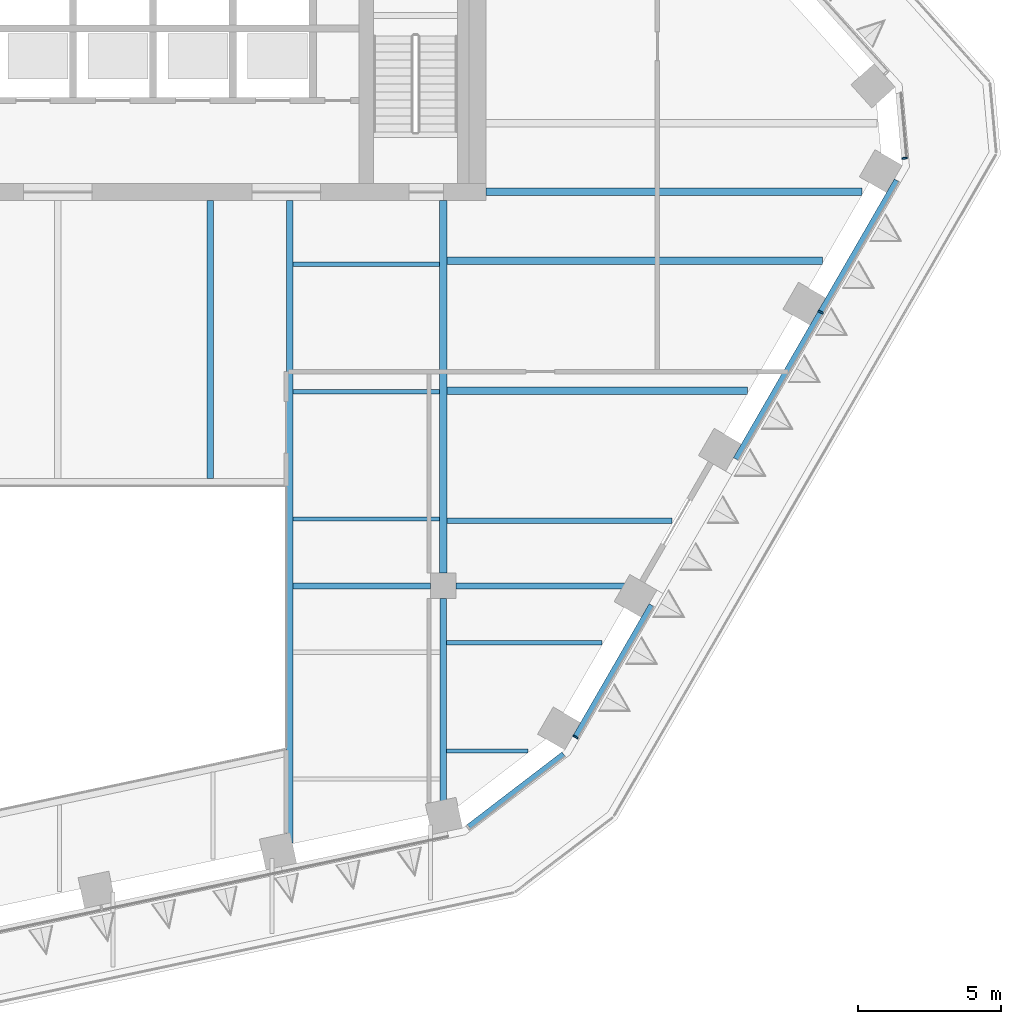
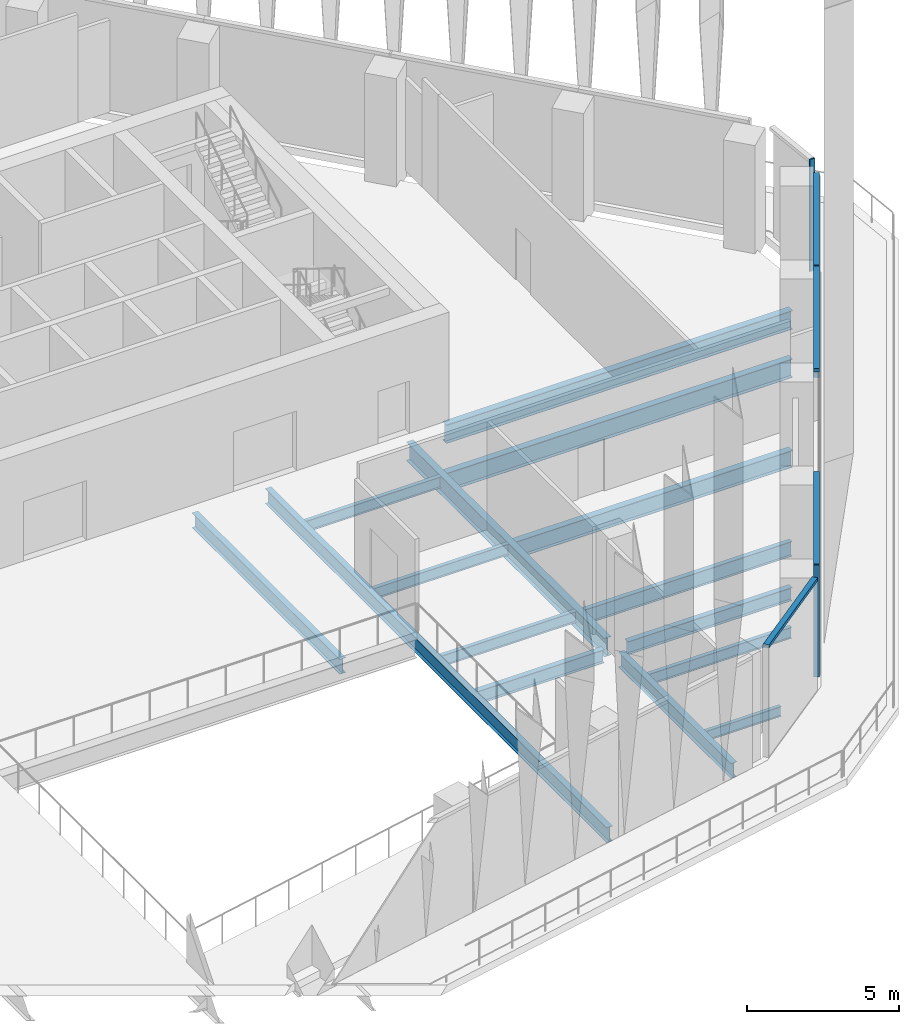
# One storey, part 5 of 21: 15 beams, 7 members, 3 elements without a shape of their own.
"""IFC4 building model written with IfcOpenShell, lengths in metres."""

import ifcopenshell
import ifcopenshell.guid

model = None  # the IFC model being written
_history = None  # IfcOwnerHistory: only IFC2X3 demands one
_inside = {}  # id of a spatial element -> (the spatial element, [elements in it])
_under = {}  # id of a project, library or spatial element -> (it, [spatial elements below it])
_declared = {}  # id of a project -> (the project, [libraries it declares])
_typed = {}  # id of a type object -> (the type object, [elements of that type])
_made_of = {}  # id of a material, layer set ... -> (it, [elements and type objects made of it])


def new_model(schema):
    """Start an empty IFC model of exactly this schema.

    Asked for "IFC4X3", IfcOpenShell would pick the latest addendum, in which some entities
    have other attributes; the version numbers below select the first issue.
    IFC2X3 requires an IfcOwnerHistory on every rooted entity: one is made here for all.
    """
    global model, _history
    if schema == "IFC4X3":
        model = ifcopenshell.file(schema_version=(4, 3, 0, 0))
    else:
        model = ifcopenshell.file(schema=schema)
    _inside.clear()
    _under.clear()
    _declared.clear()
    _typed.clear()
    _made_of.clear()
    _history = None
    if model.schema == "IFC2X3":
        org = make("IfcOrganization", Name="unknown")
        user = make(
            "IfcPersonAndOrganization",
            ThePerson=make("IfcPerson", FamilyName="unknown"),
            TheOrganization=org,
        )
        app = make(
            "IfcApplication",
            ApplicationDeveloper=org,
            Version="unknown",
            ApplicationFullName="unknown",
            ApplicationIdentifier="unknown",
        )
        _history = make(
            "IfcOwnerHistory",
            OwningUser=user,
            OwningApplication=app,
            ChangeAction="ADDED",
            CreationDate=0,
        )
    return model


def make(cls, **values):
    """One entity of the class cls with the attributes given. An attribute that is None is left unset."""
    return model.create_entity(
        cls, **{name: value for name, value in values.items() if value is not None}
    )


def rooted(cls, **values):
    """An entity with a GlobalId (a new one), such as an element, a storey or a relation."""
    return make(cls, GlobalId=ifcopenshell.guid.new(), OwnerHistory=_history, **values)


def si_unit(unit_type, name, prefix=None):
    """IfcSIUnit, for example si_unit("LENGTHUNIT", "METRE", prefix="MILLI")."""
    return make("IfcSIUnit", UnitType=unit_type, Prefix=prefix, Name=name)


def assignment(units):
    """IfcUnitAssignment: the units of a project."""
    return None if units is None else make("IfcUnitAssignment", Units=units)


def point(xyz):
    """IfcCartesianPoint."""
    return None if xyz is None else make("IfcCartesianPoint", Coordinates=xyz)


def direction(xyz):
    """IfcDirection."""
    return None if xyz is None else make("IfcDirection", DirectionRatios=xyz)


def frame(location, z_axis=None, x_axis=None):
    """IfcAxis2Placement3D, a coordinate frame: its origin and axes. An axis left out is left unset."""
    return make(
        "IfcAxis2Placement3D",
        Location=point(location),
        Axis=direction(z_axis),
        RefDirection=direction(x_axis),
    )


def frame_2d(location, x_axis=None):
    """IfcAxis2Placement2D, a coordinate frame in the plane: its origin and x axis."""
    return make(
        "IfcAxis2Placement2D", Location=point(location), RefDirection=direction(x_axis)
    )


def origin():
    """The frame at (0, 0, 0) with its axes left unset."""
    return frame((0.0, 0.0, 0.0))


def origin_2d():
    """The frame at (0, 0) in the plane with its x axis left unset."""
    return frame_2d((0.0, 0.0))


def place(relative_to, where):
    """IfcLocalPlacement: puts the frame where relative to a parent placement (None: the world)."""
    return make(
        "IfcLocalPlacement", PlacementRelTo=relative_to, RelativePlacement=where
    )


def context(
    kind, dimensions, precision=None, world=None, true_north=None, identifier=None
):
    """IfcGeometricRepresentationContext, for example the 3D "Model" context."""
    return make(
        "IfcGeometricRepresentationContext",
        ContextIdentifier=identifier,
        ContextType=kind,
        CoordinateSpaceDimension=dimensions,
        Precision=precision,
        WorldCoordinateSystem=world,
        TrueNorth=true_north,
    )


def subcontext(parent, identifier, kind, view, scale=None):
    """IfcGeometricRepresentationSubContext, for example "Body" below "Model"."""
    return make(
        "IfcGeometricRepresentationSubContext",
        ContextIdentifier=identifier,
        ContextType=kind,
        ParentContext=parent,
        TargetScale=scale,
        TargetView=view,
    )


def project(units=None, contexts=None):
    """IfcProject with its units and contexts."""
    return rooted(
        "IfcProject",
        Name="project",
        RepresentationContexts=contexts,
        UnitsInContext=assignment(units),
    )


def spatial(cls, under=None, at=None, **own):
    """A site, building, storey or space (cls), placed at a placement, below another one or the project."""
    s = rooted(cls, ObjectPlacement=at, **own)
    if under is not None:
        _under.setdefault(under.id(), (under, []))[1].append(s)
    return s


def profile(cls, at=None, kind="AREA", **sizes):
    """A parametric profile (cls). Its sizes go by their IFC names, for example OverallWidth=200.0."""
    return make(cls, ProfileType=kind, Position=at, **sizes)


def rectangle(**sizes):
    """IfcRectangleProfileDef."""
    return profile("IfcRectangleProfileDef", **sizes)


def i_section(**sizes):
    """IfcIShapeProfileDef."""
    return profile("IfcIShapeProfileDef", **sizes)


def extrude(swept, where, along, depth):
    """IfcExtrudedAreaSolid: the profile swept, set in the frame where, extruded along a direction by depth."""
    return make(
        "IfcExtrudedAreaSolid",
        SweptArea=swept,
        Position=where,
        ExtrudedDirection=direction(along),
        Depth=depth,
    )


def shape(context_of_items, identifier, shape_type, items):
    """IfcShapeRepresentation: the items that make up one representation, for example the "Body"."""
    return make(
        "IfcShapeRepresentation",
        ContextOfItems=context_of_items,
        RepresentationIdentifier=identifier,
        RepresentationType=shape_type,
        Items=items,
    )


def material(Name=None, Category=None):
    """IfcMaterial."""
    return make("IfcMaterial", Name=Name, Category=Category)


def layer(
    of_material, thickness, ventilated=None, Name=None, Category=None, Priority=None
):
    """IfcMaterialLayer: one layer of a wall or slab, of a material (None: an air gap)."""
    return make(
        "IfcMaterialLayer",
        Material=of_material,
        LayerThickness=thickness,
        IsVentilated=ventilated,
        Name=Name,
        Category=Category,
        Priority=Priority,
    )


def layer_set(layers, Name=None):
    """IfcMaterialLayerSet."""
    return make("IfcMaterialLayerSet", MaterialLayers=layers, LayerSetName=Name)


def material_profile(
    of_material, cross_section, Name=None, Category=None, Priority=None
):
    """IfcMaterialProfile: a cross section and its material."""
    return make(
        "IfcMaterialProfile",
        Name=Name,
        Material=of_material,
        Profile=cross_section,
        Priority=Priority,
        Category=Category,
    )


def profile_set(profiles, Name=None, composite=None):
    """IfcMaterialProfileSet."""
    return make(
        "IfcMaterialProfileSet",
        Name=Name,
        MaterialProfiles=profiles,
        CompositeProfile=composite,
    )


def made_of(thing, what):
    """Note that an element or type object is made of a material, layer set ...; save() writes the relation."""
    if what is not None:
        _made_of.setdefault(what.id(), (what, []))[1].append(thing)
    return thing


def type_object(cls, material=None, **own):
    """A type object (cls), such as IfcWallType, which elements share."""
    return made_of(rooted(cls, **own), material)


def element(
    cls,
    number,
    at=None,
    inside=None,
    cuts=None,
    type_object=None,
    material=None,
    context=None,
    identifier="Body",
    shape_type=None,
    held_by="IfcProductDefinitionShape",
    body=None,
    shapes=None,
    **own,
):
    """One element of the class cls, such as IfcWall. Its Tag is "e" and its number.

    at: its placement. inside: the storey or other place that contains it. cuts: it is an
    opening in that element (IfcRelVoidsElement). A single representation is given by context,
    identifier, shape_type and body (its items); several are given by shapes. held_by: the class
    of the entity that holds the representations. save() writes the other relations.
    """
    e = rooted(cls, Tag="e%d" % number, ObjectPlacement=at, **own)
    if body is not None:
        shapes = [shape(context, identifier, shape_type, body)]
    if shapes is not None:
        e.Representation = make(held_by, Representations=shapes)
    if inside is not None:
        _inside.setdefault(inside.id(), (inside, []))[1].append(e)
    if cuts is not None:
        rooted(
            "IfcRelVoidsElement", RelatingBuildingElement=cuts, RelatedOpeningElement=e
        )
    if type_object is not None:
        _typed.setdefault(type_object.id(), (type_object, []))[1].append(e)
    return made_of(e, material)


def aggregate(whole, parts):
    """IfcRelAggregates: a whole, such as a stair, and the parts it consists of."""
    return rooted("IfcRelAggregates", RelatingObject=whole, RelatedObjects=parts)


def save(model, path):
    """Write the relations noted so far, then the file.

    IfcRelAggregates (storeys below a building ...), IfcRelContainedInSpatialStructure (elements
    in a storey), IfcRelDefinesByType, IfcRelAssociatesMaterial and IfcRelDeclares: one each for
    every whole, place, type object, material and project.
    """
    for whole, parts in _under.values():
        aggregate(whole, parts)
    for where, things in _inside.values():
        rooted(
            "IfcRelContainedInSpatialStructure",
            RelatedElements=things,
            RelatingStructure=where,
        )
    for kind, things in _typed.values():
        rooted("IfcRelDefinesByType", RelatedObjects=things, RelatingType=kind)
    for what, things in _made_of.values():
        rooted("IfcRelAssociatesMaterial", RelatedObjects=things, RelatingMaterial=what)
    for by, libraries in _declared.values():
        rooted("IfcRelDeclares", RelatingContext=by, RelatedDefinitions=libraries)
    model.write(path)


model = new_model("IFC4")

# Units and contexts
model_context = context("Model", 3, precision=1e-05, world=origin(), true_north=direction((0.0, 1.0)))
body_context = subcontext(model_context, "Body", "Model", "MODEL_VIEW")
ifc_project = project(units=[si_unit("LENGTHUNIT", "METRE"), si_unit("AREAUNIT", "SQUARE_METRE"), si_unit("VOLUMEUNIT", "CUBIC_METRE"), si_unit("PLANEANGLEUNIT", "RADIAN"), si_unit("MASSUNIT", "GRAM", prefix="KILO")], contexts=[model_context])

# Site, building, storey
site_placement = place(None, origin())
site = spatial("IfcSite", under=ifc_project, at=site_placement, CompositionType="ELEMENT")
building_placement = place(site_placement, origin())
building = spatial("IfcBuilding", under=site, at=building_placement, Name="Isthmus Gate Tower", CompositionType="ELEMENT")
storey_placement = place(building_placement, frame((0.0, 0.0, 211.800048828125)))
storey = spatial("IfcBuildingStorey", under=building, at=storey_placement, Name="L53", CompositionType="ELEMENT", Elevation=211.800048828125)

# Curtain wall, members
ifc_material_1 = material(Name="Aluminium, pale champagne anodised", Category="aluminium")
ifc_layer = layer(ifc_material_1, 0.199951171875)
ifc_layer_set = layer_set([ifc_layer], Name="CW-1 UNITISED CURTAIN WALL 200 DEEP")
curtain_wall_type = type_object("IfcCurtainWallType", Name="CW-1 UNITISED CURTAIN WALL 200 DEEP", PredefinedType="NOTDEFINED", material=ifc_layer_set)
curtain_wall_1_placement = place(storey_placement, origin())
curtain_wall_1 = element("IfcCurtainWall", 1, at=curtain_wall_1_placement, inside=storey, type_object=curtain_wall_type, Name="CW-1 SE L53", PredefinedType="NOTDEFINED")
ifc_material_2 = material(Name="Aluminium, pale champagne anodised", Category="aluminium")
ifc_material_profile_1 = material_profile(ifc_material_2, rectangle(XDim=0.06005859375, YDim=0.199951171875, at=origin_2d()), Name="60x200")
ifc_profile_set_1 = profile_set([ifc_material_profile_1], Name="Aluminium, pale champagne anodised")
member_type_1 = type_object("IfcMemberType", Name="CW-1 MULLION 60 X 200", PredefinedType="MULLION", material=ifc_profile_set_1)
member_1_placement = place(storey_placement, frame((18.131591796875, -18.794921875, 0.0), z_axis=(0.0, 0.0, 1.0), x_axis=(0.5, 0.866025403784, 0.0)))
member_1 = element("IfcMember", 2, at=member_1_placement, type_object=member_type_1, Name="CW-1 mullion", PredefinedType="MULLION", context=body_context, shape_type="SweptSolid", body=[
    extrude(rectangle(XDim=0.06005859375, YDim=0.199951171875, at=origin_2d()), origin(), (0.0, 0.0, 1.0), 4.5),
])
member_2_placement = place(storey_placement, frame((26.72265625, -3.9150390625, 0.0), z_axis=(0.0, 0.0, 1.0), x_axis=(0.5, 0.866025403784, 0.0)))
member_2 = element("IfcMember", 3, at=member_2_placement, type_object=member_type_1, Name="CW-1 mullion", PredefinedType="MULLION", context=body_context, shape_type="SweptSolid", body=[
    extrude(rectangle(XDim=0.06005859375, YDim=0.199951171875, at=origin_2d()), origin(), (0.0, 0.0, 1.0), 4.5),
])

# Curtain wall, member
curtain_wall_2_placement = place(storey_placement, origin())
curtain_wall_2 = element("IfcCurtainWall", 4, at=curtain_wall_2_placement, inside=storey, type_object=curtain_wall_type, Name="CW-1 SE-NE L53", PredefinedType="NOTDEFINED")
member_3_placement = place(storey_placement, frame((29.654296875, 1.4765625, 0.0), z_axis=(0.0, 0.0, 1.0), x_axis=(-0.089396669717, 0.995996102123, 0.0)))
member_3 = element("IfcMember", 5, at=member_3_placement, type_object=member_type_1, Name="CW-1 mullion", PredefinedType="MULLION", context=body_context, shape_type="SweptSolid", body=[
    extrude(rectangle(XDim=0.06005859375, YDim=0.199951171875, at=origin_2d()), origin(), (0.0, 0.0, 1.0), 4.5),
])
aggregate(curtain_wall_2, [member_3])

curtain_wall_3_placement = place(storey_placement, origin())
curtain_wall_3 = element("IfcCurtainWall", 6, at=curtain_wall_3_placement, inside=storey, type_object=curtain_wall_type, Name="CW-1 S-SE L53", PredefinedType="NOTDEFINED")
ifc_material_3 = material(Name="Aluminium, pale champagne anodised", Category="aluminium")
ifc_material_profile_2 = material_profile(ifc_material_3, rectangle(XDim=0.199951171875, YDim=0.1298828125, at=origin_2d()), Name="200x130")
ifc_profile_set_2 = profile_set([ifc_material_profile_2], Name="Aluminium, pale champagne anodised")
member_type_2 = type_object("IfcMemberType", Name="CW-1 TRANSOM 200 X 130", PredefinedType="USERDEFINED", material=ifc_profile_set_2)
member_4_placement = place(storey_placement, frame((14.39599609375, -21.943603515625, 4.43505859375), z_axis=(0.794175498212, 0.607688471209, 0.0), x_axis=(-0.607688471209, 0.794175498212, 0.0)))
member_4 = element("IfcMember", 7, at=member_4_placement, type_object=member_type_2, Name="CW-1 transom", ObjectType="TRANSOM", PredefinedType="USERDEFINED", context=body_context, shape_type="SweptSolid", body=[
    extrude(rectangle(XDim=0.199951171875, YDim=0.1298828125, at=origin_2d()), origin(), (0.0, 0.0, 1.0), 4.181396484375),
])
aggregate(curtain_wall_3, [member_4])

# Member
member_5_placement = place(storey_placement, frame((18.146728515625, -18.76904296875, 4.43505859375), z_axis=(0.499968318869, 0.866043694121, 0.0), x_axis=(-0.866043694121, 0.499968318869, 0.0)))
member_5 = element("IfcMember", 8, at=member_5_placement, type_object=member_type_2, Name="CW-1 transom", ObjectType="TRANSOM", PredefinedType="USERDEFINED", context=body_context, shape_type="SweptSolid", body=[
    extrude(rectangle(XDim=0.199951171875, YDim=0.1298828125, at=origin_2d()), origin(), (0.0, 0.0, 1.0), 5.300537109375),
])

member_6_placement = place(storey_placement, frame((23.752197265625, -9.059814453125, 4.43505859375), z_axis=(0.500008496284, 0.866020498397, 0.0), x_axis=(-0.866020498397, 0.500008496284, 0.0)))
member_6 = element("IfcMember", 9, at=member_6_placement, type_object=member_type_2, Name="CW-1 transom", ObjectType="TRANSOM", PredefinedType="USERDEFINED", context=body_context, shape_type="SweptSolid", body=[
    extrude(rectangle(XDim=0.199951171875, YDim=0.1298828125, at=origin_2d()), origin(), (0.0, 0.0, 1.0), 5.91064453125),
])

member_7_placement = place(storey_placement, frame((26.737548828125, -3.88916015625, 4.43505859375), z_axis=(0.500022807565, 0.86601223543, 0.0), x_axis=(-0.86601223543, 0.500022807565, 0.0)))
member_7 = element("IfcMember", 10, at=member_7_placement, type_object=member_type_2, Name="CW-1 transom", ObjectType="TRANSOM", PredefinedType="USERDEFINED", context=body_context, shape_type="SweptSolid", body=[
    extrude(rectangle(XDim=0.199951171875, YDim=0.1298828125, at=origin_2d()), origin(), (0.0, 0.0, 1.0), 5.300537109375),
])

aggregate(curtain_wall_1, [member_1, member_5, member_6, member_2, member_7])

# Beams
ifc_material_4 = material(Name="Structural steel ASTM A992 Gr 50", Category="steel")
ifc_material_profile_3 = material_profile(ifc_material_4, i_section(OverallWidth=0.1396484375, OverallDepth=0.4033203125, WebThickness=0.00634765625, FlangeThickness=0.010986328125, at=origin_2d()), Name="W16X31")
ifc_profile_set_3 = profile_set([ifc_material_profile_3], Name="Structural steel ASTM A992 Gr 50")
beam_type_1 = type_object("IfcBeamType", Name="STEEL FLOOR BEAM W16X31", PredefinedType="JOIST", material=ifc_profile_set_3)
beam_1_placement = place(storey_placement, frame((13.6142578125, -19.27978515625, -0.501708984375), z_axis=(1.0, 0.0, 0.0), x_axis=(0.0, 1.0, 0.0)))
element("IfcBeam", 11, at=beam_1_placement, inside=storey, type_object=beam_type_1, Name="str-beam-L53-11-00", PredefinedType="JOIST", context=body_context, shape_type="SweptSolid", body=[
    extrude(i_section(OverallWidth=0.1396484375, OverallDepth=0.4033203125, WebThickness=0.00634765625, FlangeThickness=0.010986328125, at=origin_2d()), origin(), (0.0, 0.0, 1.0), 2.85888671875),
])
ifc_material_5 = material(Name="Structural steel ASTM A992 Gr 50", Category="steel")
ifc_material_profile_4 = material_profile(ifc_material_5, i_section(OverallWidth=0.15234375, OverallDepth=0.45068359375, WebThickness=0.0078125, FlangeThickness=0.010986328125, at=origin_2d()), Name="W18X35")
ifc_profile_set_4 = profile_set([ifc_material_profile_4], Name="Structural steel ASTM A992 Gr 50")
beam_type_2 = type_object("IfcBeamType", Name="STEEL FLOOR BEAM W18X35", PredefinedType="JOIST", material=ifc_profile_set_4)
for number, where, z_axis, x_axis, name in (
    (12, (8.228515625, -11.16259765625, -0.525390625), (1.0, 0.0, 0.0), (0.0, 1.0, 0.0), "str-beam-L53-10-00"),
    (13, (8.228515625, -6.697509765625, -0.525390625), (1.0, 0.0, 0.0), (0.0, 1.0, 0.0), "str-beam-L53-10-01"),
    (14, (8.228515625, -2.232421875, -0.525390625), (1.0, 0.0, 0.0), (0.0, 1.0, 0.0), "str-beam-L53-10-02"),
):
    element("IfcBeam", number, at=place(storey_placement, frame(where, z_axis=z_axis, x_axis=x_axis)), inside=storey, type_object=beam_type_2, Name=name, PredefinedType="JOIST", context=body_context, shape_type="SweptSolid", body=[
        extrude(i_section(OverallWidth=0.15234375, OverallDepth=0.45068359375, WebThickness=0.0078125, FlangeThickness=0.010986328125, at=origin_2d()), origin(), (0.0, 0.0, 1.0), 5.1396484375),
    ])
beam_2_placement = place(storey_placement, frame((13.6142578125, -15.496337890625, -0.525390625), z_axis=(1.0, 0.0, 0.0), x_axis=(0.0, 1.0, 0.0)))
element("IfcBeam", 15, at=beam_2_placement, inside=storey, type_object=beam_type_2, Name="str-beam-L53-11-01", PredefinedType="JOIST", context=body_context, shape_type="SweptSolid", body=[
    extrude(i_section(OverallWidth=0.15234375, OverallDepth=0.45068359375, WebThickness=0.0078125, FlangeThickness=0.010986328125, at=origin_2d()), origin(), (0.0, 0.0, 1.0), 5.436767578125),
])
ifc_material_6 = material(Name="Structural steel ASTM A992 Gr 50", Category="steel")
ifc_material_profile_5 = material_profile(ifc_material_6, i_section(OverallWidth=0.177734375, OverallDepth=0.60009765625, WebThickness=0.009521484375, FlangeThickness=0.0126953125, at=origin_2d()), Name="W24X55")
ifc_profile_set_5 = profile_set([ifc_material_profile_5], Name="Structural steel ASTM A992 Gr 50")
beam_type_3 = type_object("IfcBeamType", Name="STEEL FLOOR BEAM W24X55", PredefinedType="JOIST", material=ifc_profile_set_5)
beam_3_placement = place(storey_placement, frame((13.6318359375, -11.221923828125, -0.60009765625), z_axis=(1.0, 0.0, 0.0), x_axis=(0.0, 1.0, 0.0)))
element("IfcBeam", 16, at=beam_3_placement, inside=storey, type_object=beam_type_3, Name="str-beam-L53-12-00", PredefinedType="JOIST", context=body_context, shape_type="SweptSolid", body=[
    extrude(i_section(OverallWidth=0.177734375, OverallDepth=0.60009765625, WebThickness=0.009521484375, FlangeThickness=0.0126953125, at=origin_2d()), origin(), (0.0, 0.0, 1.0), 7.886962890625),
])
ifc_material_7 = material(Name="Structural steel ASTM A992 Gr 50", Category="steel")
ifc_material_profile_6 = material_profile(ifc_material_7, i_section(OverallWidth=0.228515625, OverallDepth=0.603271484375, WebThickness=0.010986328125, FlangeThickness=0.014404296875, at=origin_2d()), Name="W24X68")
ifc_profile_set_6 = profile_set([ifc_material_profile_6], Name="Structural steel ASTM A992 Gr 50")
beam_type_4 = type_object("IfcBeamType", Name="STEEL FLOOR BEAM W24X68", PredefinedType="JOIST", material=ifc_profile_set_6)
beam_4_placement = place(storey_placement, frame((5.333251953125, -9.7333984375, -0.6015625), z_axis=(0.0, 1.0, 0.0), x_axis=(-1.0, 0.0, 0.0)))
element("IfcBeam", 17, at=beam_4_placement, inside=storey, type_object=beam_type_4, Name="str-beam-L53-07-02", PredefinedType="JOIST", context=body_context, shape_type="SweptSolid", body=[
    extrude(i_section(OverallWidth=0.228515625, OverallDepth=0.603271484375, WebThickness=0.010986328125, FlangeThickness=0.014404296875, at=origin_2d()), origin(), (0.0, 0.0, 1.0), 9.7333984375),
])
ifc_material_8 = material(Name="Structural steel ASTM A992 Gr 50", Category="steel")
ifc_material_profile_7 = material_profile(ifc_material_8, i_section(OverallWidth=0.25390625, OverallDepth=0.679443359375, WebThickness=0.010986328125, FlangeThickness=0.015869140625, at=origin_2d()), Name="W27X84")
ifc_profile_set_7 = profile_set([ifc_material_profile_7], Name="Structural steel ASTM A992 Gr 50")
beam_type_5 = type_object("IfcBeamType", Name="STEEL FLOOR BEAM W27X84", PredefinedType="JOIST", material=ifc_profile_set_7)
beam_5_placement = place(storey_placement, frame((13.6318359375, -6.665771484375, -0.6396484375), z_axis=(1.0, 0.0, 0.0), x_axis=(0.0, 1.0, 0.0)))
element("IfcBeam", 18, at=beam_5_placement, inside=storey, type_object=beam_type_5, Name="str-beam-L53-12-01", PredefinedType="JOIST", context=body_context, shape_type="SweptSolid", body=[
    extrude(i_section(OverallWidth=0.25390625, OverallDepth=0.679443359375, WebThickness=0.010986328125, FlangeThickness=0.015869140625, at=origin_2d()), origin(), (0.0, 0.0, 1.0), 10.517333984375),
])
ifc_material_9 = material(Name="Structural steel ASTM A992 Gr 50", Category="steel")
ifc_material_profile_8 = material_profile(ifc_material_9, i_section(OverallWidth=0.263427734375, OverallDepth=0.749267578125, WebThickness=0.0126953125, FlangeThickness=0.015869140625, at=origin_2d()), Name="W30X90")
ifc_profile_set_8 = profile_set([ifc_material_profile_8], Name="Structural steel ASTM A992 Gr 50")
beam_type_6 = type_object("IfcBeamType", Name="STEEL FLOOR BEAM W30X90", PredefinedType="JOIST", material=ifc_profile_set_8)
beam_6_placement = place(storey_placement, frame((13.6318359375, -2.10986328125, -0.6748046875), z_axis=(1.0, 0.0, 0.0), x_axis=(0.0, 1.0, 0.0)))
element("IfcBeam", 19, at=beam_6_placement, inside=storey, type_object=beam_type_6, Name="str-beam-L53-12-02", PredefinedType="JOIST", context=body_context, shape_type="SweptSolid", body=[
    extrude(i_section(OverallWidth=0.263427734375, OverallDepth=0.749267578125, WebThickness=0.0126953125, FlangeThickness=0.015869140625, at=origin_2d()), origin(), (0.0, 0.0, 1.0), 13.14794921875),
])
ifc_material_10 = material(Name="Structural steel ASTM A992 Gr 50", Category="steel")
ifc_material_profile_9 = material_profile(ifc_material_10, i_section(OverallWidth=0.20947265625, OverallDepth=0.533447265625, WebThickness=0.009521484375, FlangeThickness=0.015869140625, at=origin_2d()), Name="W21X62")
ifc_profile_set_9 = profile_set([ifc_material_profile_9], Name="Structural steel ASTM A992 Gr 50")
beam_type_7 = type_object("IfcBeamType", Name="STEEL GIRDER W21X62", PredefinedType="BEAM", material=ifc_profile_set_9)
beam_7_placement = place(storey_placement, frame((8.228515625, -13.5, -0.566650390625), z_axis=(1.0, 0.0, 0.0), x_axis=(0.0, 1.0, 0.0)))
element("IfcBeam", 20, at=beam_7_placement, inside=storey, type_object=beam_type_7, Name="str-girder-L53-03", PredefinedType="BEAM", context=body_context, shape_type="SweptSolid", body=[
    extrude(i_section(OverallWidth=0.20947265625, OverallDepth=0.533447265625, WebThickness=0.009521484375, FlangeThickness=0.015869140625, at=origin_2d()), origin(), (0.0, 0.0, 1.0), 4.821533203125),
])
beam_8_placement = place(storey_placement, frame((13.949951171875, -13.5, -0.566650390625), z_axis=(1.0, 0.0, 0.0), x_axis=(0.0, 1.0, 0.0)))
element("IfcBeam", 21, at=beam_8_placement, inside=storey, type_object=beam_type_7, Name="str-girder-L53-04", PredefinedType="BEAM", context=body_context, shape_type="SweptSolid", body=[
    extrude(i_section(OverallWidth=0.20947265625, OverallDepth=0.533447265625, WebThickness=0.009521484375, FlangeThickness=0.015869140625, at=origin_2d()), origin(), (0.0, 0.0, 1.0), 6.253662109375),
])
ifc_material_11 = material(Name="Structural steel ASTM A992 Gr 50", Category="steel")
ifc_material_profile_10 = material_profile(ifc_material_11, i_section(OverallWidth=0.228515625, OverallDepth=0.603271484375, WebThickness=0.010986328125, FlangeThickness=0.014404296875, at=origin_2d()), Name="W24X68")
ifc_profile_set_10 = profile_set([ifc_material_profile_10], Name="Structural steel ASTM A992 Gr 50")
beam_type_8 = type_object("IfcBeamType", Name="STEEL GIRDER W24X68", PredefinedType="BEAM", material=ifc_profile_set_10)
beam_9_placement = place(storey_placement, frame((13.5, -21.3603515625, -0.6015625), z_axis=(0.0, 1.0, 0.0), x_axis=(-1.0, 0.0, 0.0)))
element("IfcBeam", 22, at=beam_9_placement, inside=storey, type_object=beam_type_8, Name="str-girder-L53-07", PredefinedType="BEAM", context=body_context, shape_type="SweptSolid", body=[
    extrude(i_section(OverallWidth=0.228515625, OverallDepth=0.603271484375, WebThickness=0.010986328125, FlangeThickness=0.014404296875, at=origin_2d()), origin(), (0.0, 0.0, 1.0), 7.410400390625),
])
ifc_material_12 = material(Name="Structural steel ASTM A992 Gr 50", Category="steel")
ifc_material_profile_11 = material_profile(ifc_material_12, i_section(OverallWidth=0.263427734375, OverallDepth=0.749267578125, WebThickness=0.0126953125, FlangeThickness=0.015869140625, at=origin_2d()), Name="W30X90")
ifc_profile_set_11 = profile_set([ifc_material_profile_11], Name="Structural steel ASTM A992 Gr 50")
beam_type_9 = type_object("IfcBeamType", Name="STEEL GIRDER W30X90", PredefinedType="BEAM", material=ifc_profile_set_11)
beam_10_placement = place(storey_placement, frame((13.5, -13.050048828125, -0.6748046875), z_axis=(0.0, 1.0, 0.0), x_axis=(-1.0, 0.0, 0.0)))
element("IfcBeam", 23, at=beam_10_placement, inside=storey, type_object=beam_type_9, Name="str-girder-L53-08", PredefinedType="BEAM", context=body_context, shape_type="SweptSolid", body=[
    extrude(i_section(OverallWidth=0.263427734375, OverallDepth=0.749267578125, WebThickness=0.0126953125, FlangeThickness=0.015869140625, at=origin_2d()), origin(), (0.0, 0.0, 1.0), 13.050048828125),
])
beam_11_placement = place(storey_placement, frame((15.0, 0.300048828125, -0.6748046875), z_axis=(1.0, 0.0, 0.0), x_axis=(0.0, 1.0, 0.0)))
element("IfcBeam", 24, at=beam_11_placement, inside=storey, type_object=beam_type_9, Name="str-girder-L53-10", PredefinedType="BEAM", context=body_context, shape_type="SweptSolid", body=[
    extrude(i_section(OverallWidth=0.263427734375, OverallDepth=0.749267578125, WebThickness=0.0126953125, FlangeThickness=0.015869140625, at=origin_2d()), origin(), (0.0, 0.0, 1.0), 13.1708984375),
])
ifc_material_13 = material(Name="Structural steel ASTM A992 Gr 50", Category="steel")
ifc_material_profile_12 = material_profile(ifc_material_13, i_section(OverallWidth=0.228515625, OverallDepth=0.6064453125, WebThickness=0.010986328125, FlangeThickness=0.017578125, at=origin_2d()), Name="W24X76")
ifc_profile_set_12 = profile_set([ifc_material_profile_12], Name="Structural steel ASTM A992 Gr 50")
beam_type_10 = type_object("IfcBeamType", Name="STEEL TRIMMER W24X76", PredefinedType="BEAM", material=ifc_profile_set_12)
beam_12_placement = place(storey_placement, frame((8.1142578125, -22.505126953125, -0.603271484375), z_axis=(0.0, 1.0, 0.0), x_axis=(-1.0, 0.0, 0.0)))
element("IfcBeam", 25, at=beam_12_placement, inside=storey, type_object=beam_type_10, Name="str-trimmer-L53-01", PredefinedType="BEAM", context=body_context, shape_type="SweptSolid", body=[
    extrude(i_section(OverallWidth=0.228515625, OverallDepth=0.6064453125, WebThickness=0.010986328125, FlangeThickness=0.017578125, at=origin_2d()), origin(), (0.0, 0.0, 1.0), 22.505126953125),
])

save(model, "model.ifc")
